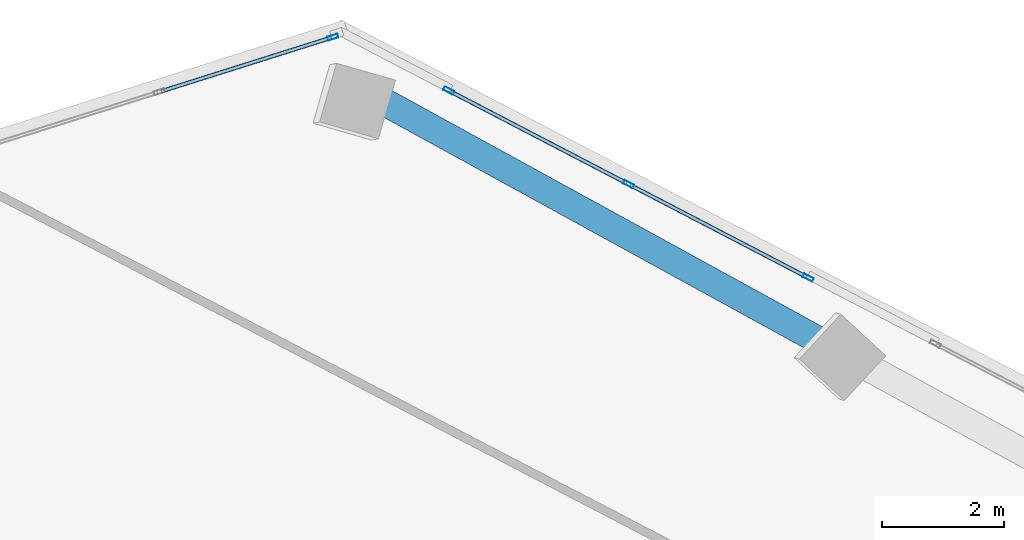
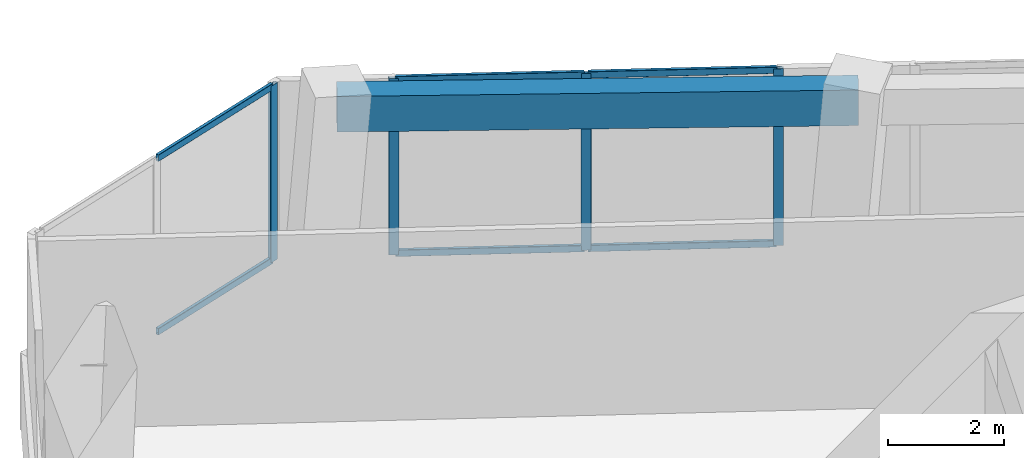
# One storey, part 14 of 22: 10 members, 1 beam, 2 elements without a shape of their own.
"""IFC4 building model written with IfcOpenShell, lengths in metres."""

from ifc_helpers import new_model, si_unit, direction, frame, origin, origin_2d, place, context, subcontext, project, spatial, rectangle, hollow_rectangle, extrude, source, transform, mapped, material, material_profile, profile_set, type_object, element, aggregate, save


model = new_model("IFC4")

# Units and contexts
model_context = context("Model", 3, precision=1e-05, world=origin(), true_north=direction((0.0, 1.0)))
body_context = subcontext(model_context, "Body", "Model", "MODEL_VIEW")
ifc_project = project(units=[si_unit("LENGTHUNIT", "METRE"), si_unit("AREAUNIT", "SQUARE_METRE"), si_unit("VOLUMEUNIT", "CUBIC_METRE"), si_unit("PLANEANGLEUNIT", "RADIAN"), si_unit("MASSUNIT", "GRAM", prefix="KILO")], contexts=[model_context])

# Site, building, storey
site_placement = place(None, origin())
site = spatial("IfcSite", under=ifc_project, at=site_placement, CompositionType="ELEMENT")
building_placement = place(site_placement, origin())
building = spatial("IfcBuilding", under=site, at=building_placement, Name="Torre Montelarca", CompositionType="ELEMENT")
storey_placement = place(building_placement, frame((0.0, 0.0, 170.800048828125)))
storey = spatial("IfcBuildingStorey", under=building, at=storey_placement, Name="L38", CompositionType="ELEMENT", Elevation=170.800048828125)

# Beam
ifc_material_1 = material(Name="Concrete C55/67", Category="concrete")
ifc_material_profile_1 = material_profile(ifc_material_1, rectangle(XDim=0.449951171875, YDim=0.75, at=origin_2d()), Name="RCB450X750", Category="concrete")
ifc_profile_set_1 = profile_set([ifc_material_profile_1], Name="Concrete C55/67")
beam_type = type_object("IfcBeamType", Name="BM-SP-RC750-EXT", PredefinedType="SPANDREL", material=ifc_profile_set_1)
shared_shape_1 = source(origin(), body_context, "Body", "SweptSolid", [
    extrude(rectangle(XDim=0.449951171875, YDim=0.75, at=origin_2d()), origin(), (0.0, 0.0, 1.0), 9.000244140625),
])
beam_placement = place(storey_placement, frame((17.827880859375, 51.294921875, 3.5849609375), z_axis=(0.876719425302, -0.481002130243, 0.0), x_axis=(0.481002130243, 0.876719425302, 0.0)))
element("IfcBeam", 1, at=beam_placement, inside=storey, type_object=beam_type, Name="L38 Grid Girder X 9.0-18.0 at Y=47.1", PredefinedType="SPANDREL", context=body_context, shape_type="MappedRepresentation", body=[
    mapped(shared_shape_1, transform((0.0, 0.0, 0.0), scale=1.0)),
])

# Curtain wall, members
ifc_material_2 = material(Name="Insulated low-E laminated glass", Category="glass")
curtain_wall_type = type_object("IfcCurtainWallType", Name="CW-SYS-Z2", PredefinedType="USERDEFINED", material=ifc_material_2)
curtain_wall_1_placement = place(storey_placement, origin())
curtain_wall_1 = element("IfcCurtainWall", 2, at=curtain_wall_1_placement, inside=storey, type_object=curtain_wall_type, Name="L38 Curtain Wall Run CW-T3-L38-E09-B1", ObjectType="UNITISED GLAZING", PredefinedType="USERDEFINED")
ifc_material_3 = material(Name="Anodised aluminium AA 6063-T6", Category="aluminium")
ifc_material_profile_2 = material_profile(ifc_material_3, hollow_rectangle(XDim=0.06494140625, YDim=0.139892578125, WallThickness=0.00390625, InnerFilletRadius=0.00390625, OuterFilletRadius=0.008056640625, at=origin_2d()), Name="ALU65X140X4", Category="aluminium")
ifc_profile_set_2 = profile_set([ifc_material_profile_2], Name="Anodised aluminium AA 6063-T6")
member_type_1 = type_object("IfcMemberType", Name="CWT-ALU140", PredefinedType="USERDEFINED", material=ifc_profile_set_2)
shared_shape_2 = source(origin(), body_context, "Body", "SweptSolid", [
    extrude(hollow_rectangle(XDim=0.06494140625, YDim=0.139892578125, WallThickness=0.00390625, InnerFilletRadius=0.00390625, OuterFilletRadius=0.008056640625, at=origin_2d()), origin(), (0.0, 0.0, 1.0), 2.918701171875),
])
member_1_placement = place(storey_placement, frame((17.0908203125, 52.271240234375, 0.032470703125), z_axis=(-0.953717833294, -0.300703000412, 0.0), x_axis=(0.300703000412, -0.953717833294, 0.0)))
member_1 = element("IfcMember", 3, at=member_1_placement, type_object=member_type_1, Name="CW transom 1.1", ObjectType="TRANSOM", PredefinedType="USERDEFINED", context=body_context, shape_type="MappedRepresentation", body=[
    mapped(shared_shape_2, transform((0.0, 0.0, 0.0), scale=1.0)),
])
member_2_placement = place(storey_placement, frame((17.0908203125, 52.271240234375, 3.6875), z_axis=(-0.953717833294, -0.300703000412, 0.0), x_axis=(0.300703000412, -0.953717833294, 0.0)))
member_2 = element("IfcMember", 4, at=member_2_placement, type_object=member_type_1, Name="CW transom 1.2", ObjectType="TRANSOM", PredefinedType="USERDEFINED", context=body_context, shape_type="MappedRepresentation", body=[
    mapped(shared_shape_2, transform((0.0, 0.0, 0.0), scale=1.0)),
])

curtain_wall_2_placement = place(storey_placement, origin())
curtain_wall_2 = element("IfcCurtainWall", 5, at=curtain_wall_2_placement, inside=storey, type_object=curtain_wall_type, Name="L38 Curtain Wall Run CW-T3-L38-E08-B4", ObjectType="UNITISED GLAZING", PredefinedType="USERDEFINED")
ifc_material_profile_3 = material_profile(ifc_material_3, hollow_rectangle(XDim=0.06494140625, YDim=0.179931640625, WallThickness=0.00390625, InnerFilletRadius=0.00390625, OuterFilletRadius=0.008056640625, at=origin_2d()), Name="ALU65X180X4", Category="aluminium")
ifc_profile_set_3 = profile_set([ifc_material_profile_3], Name="Anodised aluminium AA 6063-T6")
member_type_2 = type_object("IfcMemberType", Name="CWM-ALU180", PredefinedType="MULLION", material=ifc_profile_set_3)
shared_shape_3 = source(origin(), body_context, "Body", "SweptSolid", [
    extrude(hollow_rectangle(XDim=0.06494140625, YDim=0.179931640625, WallThickness=0.00390625, InnerFilletRadius=0.00390625, OuterFilletRadius=0.008056640625, at=origin_2d()), origin(), (0.0, 0.0, 1.0), 3.719970703125),
])
member_3_placement = place(storey_placement, frame((24.917724609375, 48.337890625, 0.0), z_axis=(0.0, 0.0, 1.0), x_axis=(-0.461748457555, -0.88701091422, 0.0)))
member_3 = element("IfcMember", 6, at=member_3_placement, type_object=member_type_2, Name="CW mullion 1", PredefinedType="MULLION", context=body_context, shape_type="MappedRepresentation", body=[
    mapped(shared_shape_3, transform((0.0, 0.0, 0.0), scale=1.0)),
])
member_4_placement = place(storey_placement, frame((21.97216796875, 49.871337890625, 0.0), z_axis=(0.0, 0.0, 1.0), x_axis=(-0.461748457555, -0.88701091422, 0.0)))
member_4 = element("IfcMember", 7, at=member_4_placement, type_object=member_type_2, Name="CW mullion 2", PredefinedType="MULLION", context=body_context, shape_type="MappedRepresentation", body=[
    mapped(shared_shape_3, transform((0.0, 0.0, 0.0), scale=1.0)),
])
member_5_placement = place(storey_placement, frame((19.026611328125, 51.40478515625, 0.0), z_axis=(0.0, 0.0, 1.0), x_axis=(-0.461748457555, -0.88701091422, 0.0)))
member_5 = element("IfcMember", 8, at=member_5_placement, type_object=member_type_2, Name="CW mullion 3", PredefinedType="MULLION", context=body_context, shape_type="MappedRepresentation", body=[
    mapped(shared_shape_3, transform((0.0, 0.0, 0.0), scale=1.0)),
])

# Member
member_6_placement = place(storey_placement, frame((17.121826171875, 52.281005859375, 0.0), z_axis=(0.0, 0.0, 1.0), x_axis=(0.30069894448, -0.953719112102, 0.0)))
member_6 = element("IfcMember", 9, at=member_6_placement, type_object=member_type_2, Name="CW mullion 1", PredefinedType="MULLION", context=body_context, shape_type="MappedRepresentation", body=[
    mapped(shared_shape_3, transform((0.0, 0.0, 0.0), scale=1.0)),
])

aggregate(curtain_wall_1, [member_6, member_1, member_2])

shared_shape_4 = source(origin(), body_context, "Body", "SweptSolid", [
    extrude(hollow_rectangle(XDim=0.06494140625, YDim=0.139892578125, WallThickness=0.00390625, InnerFilletRadius=0.00390625, OuterFilletRadius=0.008056640625, at=origin_2d()), origin(), (0.0, 0.0, 1.0), 3.255615234375),
])
member_7_placement = place(storey_placement, frame((24.888916015625, 48.35302734375, 0.032470703125), z_axis=(-0.887035023058, 0.461702141937, 0.0), x_axis=(-0.461702141937, -0.887035023058, 0.0)))
member_7 = element("IfcMember", 10, at=member_7_placement, type_object=member_type_1, Name="CW transom 1.1", ObjectType="TRANSOM", PredefinedType="USERDEFINED", context=body_context, shape_type="MappedRepresentation", body=[
    mapped(shared_shape_4, transform((0.0, 0.0, 0.0), scale=1.0)),
])

member_8_placement = place(storey_placement, frame((24.888916015625, 48.35302734375, 3.6875), z_axis=(-0.887035023058, 0.461702141937, 0.0), x_axis=(-0.461702141937, -0.887035023058, 0.0)))
member_8 = element("IfcMember", 11, at=member_8_placement, type_object=member_type_1, Name="CW transom 1.2", ObjectType="TRANSOM", PredefinedType="USERDEFINED", context=body_context, shape_type="MappedRepresentation", body=[
    mapped(shared_shape_4, transform((0.0, 0.0, 0.0), scale=1.0)),
])

shared_shape_5 = source(origin(), body_context, "Body", "SweptSolid", [
    extrude(hollow_rectangle(XDim=0.06494140625, YDim=0.139892578125, WallThickness=0.00390625, InnerFilletRadius=0.00390625, OuterFilletRadius=0.008056640625, at=origin_2d()), origin(), (0.0, 0.0, 1.0), 3.255859375),
])
member_9_placement = place(storey_placement, frame((21.943359375, 49.88623046875, 0.032470703125), z_axis=(-0.887004311057, 0.461761141896, 0.0), x_axis=(-0.461761141896, -0.887004311057, 0.0)))
member_9 = element("IfcMember", 12, at=member_9_placement, type_object=member_type_1, Name="CW transom 2.1", ObjectType="TRANSOM", PredefinedType="USERDEFINED", context=body_context, shape_type="MappedRepresentation", body=[
    mapped(shared_shape_5, transform((0.0, 0.0, 0.0), scale=1.0)),
])

member_10_placement = place(storey_placement, frame((21.943359375, 49.88623046875, 3.6875), z_axis=(-0.887004311057, 0.461761141896, 0.0), x_axis=(-0.461761141896, -0.887004311057, 0.0)))
member_10 = element("IfcMember", 13, at=member_10_placement, type_object=member_type_1, Name="CW transom 2.2", ObjectType="TRANSOM", PredefinedType="USERDEFINED", context=body_context, shape_type="MappedRepresentation", body=[
    mapped(shared_shape_5, transform((0.0, 0.0, 0.0), scale=1.0)),
])

aggregate(curtain_wall_2, [member_3, member_4, member_5, member_7, member_8, member_9, member_10])

save(model, "model.ifc")
